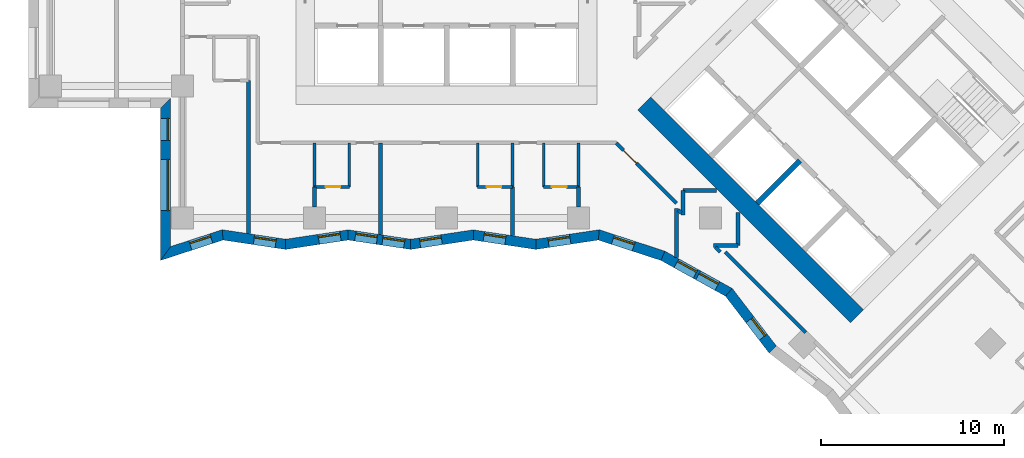
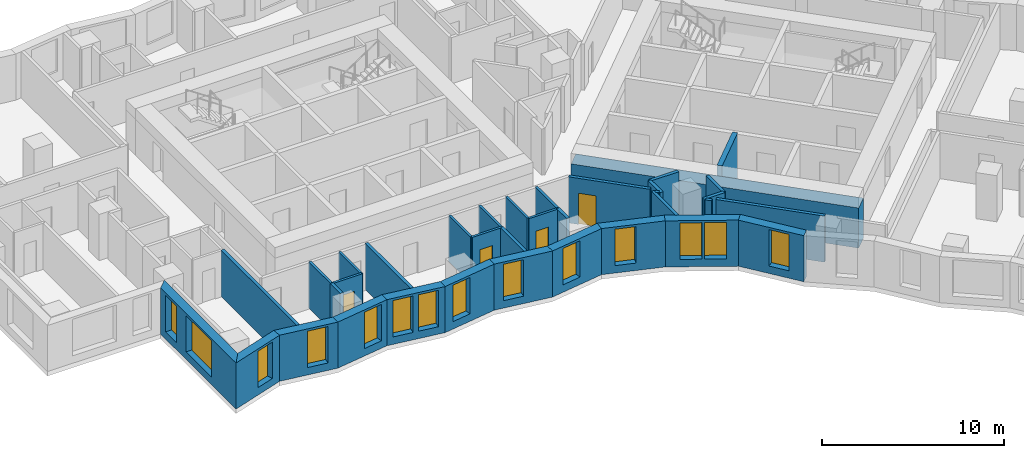
# One storey, part 2 of 12: 36 walls, 14 windows, 4 doors, 18 openings.
"""IFC4 building model written with IfcOpenShell, lengths in metres."""

from ifc_helpers import new_model, si_unit, direction, frame, frame_2d, origin, place, context, subcontext, project, spatial, polyline, rectangle, outline, extrude, material, layer, layer_set, type_object, element, fill, save


model = new_model("IFC4")

# Units and contexts
model_context = context("Model", 3, precision=1e-05, world=origin(), true_north=direction((0.0, 1.0)))
body_context = subcontext(model_context, "Body", "Model", "MODEL_VIEW")
ifc_project = project(units=[si_unit("LENGTHUNIT", "METRE"), si_unit("AREAUNIT", "SQUARE_METRE"), si_unit("VOLUMEUNIT", "CUBIC_METRE"), si_unit("PLANEANGLEUNIT", "RADIAN"), si_unit("MASSUNIT", "GRAM", prefix="KILO")], contexts=[model_context])

# Site, building, storey
site_placement = place(None, origin())
site = spatial("IfcSite", under=ifc_project, at=site_placement, CompositionType="ELEMENT")
building_placement = place(site_placement, origin())
building = spatial("IfcBuilding", under=site, at=building_placement, Name="Windrow Commons", CompositionType="ELEMENT")
storey_placement = place(building_placement, frame((0.0, 0.0, 50.8)))
storey = spatial("IfcBuildingStorey", under=building, at=storey_placement, Name="L13", CompositionType="ELEMENT", Elevation=50.8)

# Wall, openings, windows
ifc_material_1 = material(Name="Brick masonry, red clay brick", Category="masonry")
ifc_layer_1 = layer(ifc_material_1, 0.55)
ifc_layer_set_1 = layer_set([ifc_layer_1], Name="Brick facade wall 550")
wall_type_1 = type_object("IfcWallType", Name="Brick facade wall 550", PredefinedType="SOLIDWALL", material=ifc_layer_set_1)
wall_1_placement = place(storey_placement, frame((49.475, 49.475, 0.0), z_axis=(0.0, 0.0, 1.0), x_axis=(0.0, -1.0, 0.0)))
wall_1 = element("IfcWall", 1, at=wall_1_placement, inside=storey, type_object=wall_type_1, Name="Brick facade wall L13 45", PredefinedType="SOLIDWALL", context=body_context, shape_type="SweptSolid", body=[
    extrude(outline(polyline([(0.275, -0.275), (8.587, -0.275), (7.8293, 0.275), (-0.275, 0.275), (0.275, -0.275)])), origin(), (0.0, 0.0, 1.0), 3.1),
])
opening_1_placement = place(wall_1_placement, frame((3.075, 0.0, 0.5)))
opening_1 = element("IfcOpeningElement", 2, at=opening_1_placement, cuts=wall_1, Name="Opening W1T", PredefinedType="OPENING", context=body_context, shape_type="SweptSolid", body=[
    extrude(rectangle(XDim=2.8, YDim=2.45, at=frame_2d((1.4, 1.225))), frame((0.0, 0.285, 0.0), z_axis=(0.0, -1.0, 0.0), x_axis=(1.0, 0.0, 0.0)), (0.0, 0.0, 1.0), 0.57),
])
opening_2_placement = place(wall_1_placement, frame((0.8375, 0.0, 0.5)))
opening_2 = element("IfcOpeningElement", 3, at=opening_2_placement, cuts=wall_1, Name="Opening W7D", PredefinedType="OPENING", context=body_context, shape_type="SweptSolid", body=[
    extrude(rectangle(XDim=1.2, YDim=2.45, at=frame_2d((0.6, 1.225))), frame((0.0, 0.285, 0.0), z_axis=(0.0, -1.0, 0.0), x_axis=(1.0, 0.0, 0.0)), (0.0, 0.0, 1.0), 0.57),
])
ifc_material_2 = material(Name="Clear float glass in anodised aluminium frame", Category="aluminium")
window_type_1 = type_object("IfcWindowType", Name="Window W1T bedroom 2800x2450", PartitioningType="SINGLE_PANEL", PredefinedType="WINDOW", material=ifc_material_2)
window_1_placement = place(opening_1_placement, origin())
window_1 = element("IfcWindow", 4, at=window_1_placement, inside=storey, type_object=window_type_1, Name="Window L13 45.1", OverallHeight=2.45, OverallWidth=2.8, PartitioningType="SINGLE_PANEL", PredefinedType="WINDOW", context=body_context, shape_type="SweptSolid", body=[
    extrude(rectangle(XDim=2.8, YDim=2.45, at=frame_2d((1.4, 1.225))), frame((0.0, 0.155, 0.0), z_axis=(0.0, -1.0, 0.0), x_axis=(1.0, 0.0, 0.0)), (0.0, 0.0, 1.0), 0.06),
])
fill(opening_1, window_1)
ifc_material_3 = material(Name="Clear float glass in anodised aluminium frame", Category="aluminium")
window_type_2 = type_object("IfcWindowType", Name="Window W7 notch 1200x2450", PartitioningType="SINGLE_PANEL", PredefinedType="WINDOW", material=ifc_material_3)
window_2_placement = place(opening_2_placement, origin())
window_2 = element("IfcWindow", 5, at=window_2_placement, inside=storey, type_object=window_type_2, Name="Window L13 45.2", OverallHeight=2.45, OverallWidth=1.2, PartitioningType="SINGLE_PANEL", PredefinedType="WINDOW", context=body_context, shape_type="SweptSolid", body=[
    extrude(rectangle(XDim=1.2, YDim=2.45, at=frame_2d((0.6, 1.225))), frame((0.0, 0.155, 0.0), z_axis=(0.0, -1.0, 0.0), x_axis=(1.0, 0.0, 0.0)), (0.0, 0.0, 1.0), 0.06),
])
fill(opening_2, window_2)

# Wall, opening, window
wall_2_placement = place(storey_placement, frame((49.475, 41.2669, 0.0), z_axis=(0.0, 0.0, 1.0), x_axis=(0.9507812873, 0.3098627821, 0.0)))
wall_2 = element("IfcWall", 6, at=wall_2_placement, inside=storey, type_object=wall_type_1, Name="Brick facade wall L13 46", PredefinedType="SOLIDWALL", context=body_context, shape_type="SweptSolid", body=[
    extrude(outline(polyline([(-0.3789, -0.275), (3.2097, -0.275), (3.3396, 0.275), (0.3789, 0.275), (-0.3789, -0.275)])), origin(), (0.0, 0.0, 1.0), 3.1),
])
opening_3_placement = place(wall_2_placement, frame((1.4238, 0.0, 0.5)))
opening_3 = element("IfcOpeningElement", 7, at=opening_3_placement, cuts=wall_2, Name="Opening W7D", PredefinedType="OPENING", context=body_context, shape_type="SweptSolid", body=[
    extrude(rectangle(XDim=1.2, YDim=2.45, at=frame_2d((0.6, 1.225))), frame((0.0, 0.285, 0.0), z_axis=(0.0, -1.0, 0.0), x_axis=(1.0, 0.0, 0.0)), (0.0, 0.0, 1.0), 0.57),
])
window_3_placement = place(opening_3_placement, origin())
window_3 = element("IfcWindow", 8, at=window_3_placement, inside=storey, type_object=window_type_2, Name="Window L13 46.1", OverallHeight=2.45, OverallWidth=1.2, PartitioningType="SINGLE_PANEL", PredefinedType="WINDOW", context=body_context, shape_type="SweptSolid", body=[
    extrude(rectangle(XDim=1.2, YDim=2.45, at=frame_2d((0.6, 1.225))), frame((0.0, 0.155, 0.0), z_axis=(0.0, -1.0, 0.0), x_axis=(1.0, 0.0, 0.0)), (0.0, 0.0, 1.0), 0.06),
])
fill(opening_3, window_3)

wall_3_placement = place(storey_placement, frame((52.5885, 42.2816, 0.0), z_axis=(0.0, 0.0, 1.0), x_axis=(0.9889276939, -0.1483981679, 0.0)))
wall_3 = element("IfcWall", 9, at=wall_3_placement, inside=storey, type_object=wall_type_1, Name="Brick facade wall L13 47", PredefinedType="SOLIDWALL", context=body_context, shape_type="SweptSolid", body=[
    extrude(outline(polyline([(0.065, -0.275), (3.5151, -0.275), (3.4326, 0.275), (-0.065, 0.275), (0.065, -0.275)])), origin(), (0.0, 0.0, 1.0), 3.1),
])
opening_4_placement = place(wall_3_placement, frame((1.7299, 0.0, 0.5)))
opening_4 = element("IfcOpeningElement", 10, at=opening_4_placement, cuts=wall_3, Name="Opening W7D", PredefinedType="OPENING", context=body_context, shape_type="SweptSolid", body=[
    extrude(rectangle(XDim=1.2, YDim=2.45, at=frame_2d((0.6, 1.225))), frame((0.0, 0.285, 0.0), z_axis=(0.0, -1.0, 0.0), x_axis=(1.0, 0.0, 0.0)), (0.0, 0.0, 1.0), 0.57),
])
window_4_placement = place(opening_4_placement, origin())
window_4 = element("IfcWindow", 11, at=window_4_placement, inside=storey, type_object=window_type_2, Name="Window L13 47.1", OverallHeight=2.45, OverallWidth=1.2, PartitioningType="SINGLE_PANEL", PredefinedType="WINDOW", context=body_context, shape_type="SweptSolid", body=[
    extrude(rectangle(XDim=1.2, YDim=2.45, at=frame_2d((0.6, 1.225))), frame((0.0, 0.155, 0.0), z_axis=(0.0, -1.0, 0.0), x_axis=(1.0, 0.0, 0.0)), (0.0, 0.0, 1.0), 0.06),
])
fill(opening_4, window_4)

wall_4_placement = place(storey_placement, frame((56.0238, 41.7661, 0.0), z_axis=(0.0, 0.0, 1.0), x_axis=(0.9889272091, 0.1484013984, 0.0)))
wall_4 = element("IfcWall", 12, at=wall_4_placement, inside=storey, type_object=wall_type_1, Name="Brick facade wall L13 48", PredefinedType="SOLIDWALL", context=body_context, shape_type="SweptSolid", body=[
    extrude(outline(polyline([(-0.0413, -0.275), (3.4088, -0.275), (3.4914, 0.275), (0.0413, 0.275), (-0.0413, -0.275)])), origin(), (0.0, 0.0, 1.0), 3.1),
])
opening_5_placement = place(wall_4_placement, frame((1.822, 0.0, 0.5)))
opening_5 = element("IfcOpeningElement", 13, at=opening_5_placement, cuts=wall_4, Name="Opening W7D", PredefinedType="OPENING", context=body_context, shape_type="SweptSolid", body=[
    extrude(rectangle(XDim=1.2, YDim=2.45, at=frame_2d((0.6, 1.225))), frame((0.0, 0.285, 0.0), z_axis=(0.0, -1.0, 0.0), x_axis=(1.0, 0.0, 0.0)), (0.0, 0.0, 1.0), 0.57),
])
window_5_placement = place(opening_5_placement, origin())
window_5 = element("IfcWindow", 14, at=window_5_placement, inside=storey, type_object=window_type_2, Name="Window L13 48.1", OverallHeight=2.45, OverallWidth=1.2, PartitioningType="SINGLE_PANEL", PredefinedType="WINDOW", context=body_context, shape_type="SweptSolid", body=[
    extrude(rectangle(XDim=1.2, YDim=2.45, at=frame_2d((0.6, 1.225))), frame((0.0, 0.155, 0.0), z_axis=(0.0, -1.0, 0.0), x_axis=(1.0, 0.0, 0.0)), (0.0, 0.0, 1.0), 0.06),
])
fill(opening_5, window_5)

# Wall, openings, windows
wall_5_placement = place(storey_placement, frame((59.4357, 42.2781, 0.0), z_axis=(0.0, 0.0, 1.0), x_axis=(0.9889272091, -0.1484013984, 0.0)))
wall_5 = element("IfcWall", 15, at=wall_5_placement, inside=storey, type_object=wall_type_1, Name="Brick facade wall L13 49", PredefinedType="SOLIDWALL", context=body_context, shape_type="SweptSolid", body=[
    extrude(outline(polyline([(0.0413, -0.275), (3.4914, -0.275), (3.4088, 0.275), (-0.0413, 0.275), (0.0413, -0.275)])), origin(), (0.0, 0.0, 1.0), 3.1),
])
opening_6_placement = place(wall_5_placement, frame((0.392, 0.0, 0.5)))
opening_6 = element("IfcOpeningElement", 16, at=opening_6_placement, cuts=wall_5, Name="Opening W7D", PredefinedType="OPENING", context=body_context, shape_type="SweptSolid", body=[
    extrude(rectangle(XDim=1.2, YDim=2.45, at=frame_2d((0.6, 1.225))), frame((0.0, 0.285, 0.0), z_axis=(0.0, -1.0, 0.0), x_axis=(1.0, 0.0, 0.0)), (0.0, 0.0, 1.0), 0.57),
])
opening_7_placement = place(wall_5_placement, frame((1.8964, 0.0, 0.5)))
opening_7 = element("IfcOpeningElement", 17, at=opening_7_placement, cuts=wall_5, Name="Opening W7D", PredefinedType="OPENING", context=body_context, shape_type="SweptSolid", body=[
    extrude(rectangle(XDim=1.2, YDim=2.45, at=frame_2d((0.6, 1.225))), frame((0.0, 0.285, 0.0), z_axis=(0.0, -1.0, 0.0), x_axis=(1.0, 0.0, 0.0)), (0.0, 0.0, 1.0), 0.57),
])
window_6_placement = place(opening_6_placement, origin())
window_6 = element("IfcWindow", 18, at=window_6_placement, inside=storey, type_object=window_type_2, Name="Window L13 49.1", OverallHeight=2.45, OverallWidth=1.2, PartitioningType="SINGLE_PANEL", PredefinedType="WINDOW", context=body_context, shape_type="SweptSolid", body=[
    extrude(rectangle(XDim=1.2, YDim=2.45, at=frame_2d((0.6, 1.225))), frame((0.0, 0.155, 0.0), z_axis=(0.0, -1.0, 0.0), x_axis=(1.0, 0.0, 0.0)), (0.0, 0.0, 1.0), 0.06),
])
fill(opening_6, window_6)
window_7_placement = place(opening_7_placement, origin())
window_7 = element("IfcWindow", 19, at=window_7_placement, inside=storey, type_object=window_type_2, Name="Window L13 49.2", OverallHeight=2.45, OverallWidth=1.2, PartitioningType="SINGLE_PANEL", PredefinedType="WINDOW", context=body_context, shape_type="SweptSolid", body=[
    extrude(rectangle(XDim=1.2, YDim=2.45, at=frame_2d((0.6, 1.225))), frame((0.0, 0.155, 0.0), z_axis=(0.0, -1.0, 0.0), x_axis=(1.0, 0.0, 0.0)), (0.0, 0.0, 1.0), 0.06),
])
fill(opening_7, window_7)

# Wall, opening, window
wall_6_placement = place(storey_placement, frame((62.8476, 41.7661, 0.0), z_axis=(0.0, 0.0, 1.0), x_axis=(0.9889278474, 0.1483971447, 0.0)))
wall_6 = element("IfcWall", 20, at=wall_6_placement, inside=storey, type_object=wall_type_1, Name="Brick facade wall L13 50", PredefinedType="SOLIDWALL", context=body_context, shape_type="SweptSolid", body=[
    extrude(outline(polyline([(-0.0413, -0.275), (3.4088, -0.275), (3.4914, 0.275), (0.0413, 0.275), (-0.0413, -0.275)])), origin(), (0.0, 0.0, 1.0), 3.1),
])
opening_8_placement = place(wall_6_placement, frame((0.5077, 0.0, 0.5)))
opening_8 = element("IfcOpeningElement", 21, at=opening_8_placement, cuts=wall_6, Name="Opening W7D", PredefinedType="OPENING", context=body_context, shape_type="SweptSolid", body=[
    extrude(rectangle(XDim=1.2, YDim=2.45, at=frame_2d((0.6, 1.225))), frame((0.0, 0.285, 0.0), z_axis=(0.0, -1.0, 0.0), x_axis=(1.0, 0.0, 0.0)), (0.0, 0.0, 1.0), 0.57),
])
window_8_placement = place(opening_8_placement, origin())
window_8 = element("IfcWindow", 22, at=window_8_placement, inside=storey, type_object=window_type_2, Name="Window L13 50.1", OverallHeight=2.45, OverallWidth=1.2, PartitioningType="SINGLE_PANEL", PredefinedType="WINDOW", context=body_context, shape_type="SweptSolid", body=[
    extrude(rectangle(XDim=1.2, YDim=2.45, at=frame_2d((0.6, 1.225))), frame((0.0, 0.155, 0.0), z_axis=(0.0, -1.0, 0.0), x_axis=(1.0, 0.0, 0.0)), (0.0, 0.0, 1.0), 0.06),
])
fill(opening_8, window_8)

wall_7_placement = place(storey_placement, frame((66.2596, 42.2781, 0.0), z_axis=(0.0, 0.0, 1.0), x_axis=(0.9889272091, -0.1484013984, 0.0)))
wall_7 = element("IfcWall", 23, at=wall_7_placement, inside=storey, type_object=wall_type_1, Name="Brick facade wall L13 51", PredefinedType="SOLIDWALL", context=body_context, shape_type="SweptSolid", body=[
    extrude(outline(polyline([(0.0413, -0.275), (3.4914, -0.275), (3.4088, 0.275), (-0.0413, 0.275), (0.0413, -0.275)])), origin(), (0.0, 0.0, 1.0), 3.1),
])
opening_9_placement = place(wall_7_placement, frame((0.5822, 0.0, 0.5)))
opening_9 = element("IfcOpeningElement", 24, at=opening_9_placement, cuts=wall_7, Name="Opening W7D", PredefinedType="OPENING", context=body_context, shape_type="SweptSolid", body=[
    extrude(rectangle(XDim=1.2, YDim=2.45, at=frame_2d((0.6, 1.225))), frame((0.0, 0.285, 0.0), z_axis=(0.0, -1.0, 0.0), x_axis=(1.0, 0.0, 0.0)), (0.0, 0.0, 1.0), 0.57),
])
window_9_placement = place(opening_9_placement, origin())
window_9 = element("IfcWindow", 25, at=window_9_placement, inside=storey, type_object=window_type_2, Name="Window L13 51.1", OverallHeight=2.45, OverallWidth=1.2, PartitioningType="SINGLE_PANEL", PredefinedType="WINDOW", context=body_context, shape_type="SweptSolid", body=[
    extrude(rectangle(XDim=1.2, YDim=2.45, at=frame_2d((0.6, 1.225))), frame((0.0, 0.155, 0.0), z_axis=(0.0, -1.0, 0.0), x_axis=(1.0, 0.0, 0.0)), (0.0, 0.0, 1.0), 0.06),
])
fill(opening_9, window_9)

wall_8_placement = place(storey_placement, frame((69.6715, 41.7661, 0.0), z_axis=(0.0, 0.0, 1.0), x_axis=(0.9889276939, 0.1483981679, 0.0)))
wall_8 = element("IfcWall", 26, at=wall_8_placement, inside=storey, type_object=wall_type_1, Name="Brick facade wall L13 52", PredefinedType="SOLIDWALL", context=body_context, shape_type="SweptSolid", body=[
    extrude(outline(polyline([(-0.0413, -0.275), (3.4088, -0.275), (3.5388, 0.275), (0.0413, 0.275), (-0.0413, -0.275)])), origin(), (0.0, 0.0, 1.0), 3.1),
])
opening_10_placement = place(wall_8_placement, frame((0.6979, 0.0, 0.5)))
opening_10 = element("IfcOpeningElement", 27, at=opening_10_placement, cuts=wall_8, Name="Opening W7D", PredefinedType="OPENING", context=body_context, shape_type="SweptSolid", body=[
    extrude(rectangle(XDim=1.2, YDim=2.45, at=frame_2d((0.6, 1.225))), frame((0.0, 0.285, 0.0), z_axis=(0.0, -1.0, 0.0), x_axis=(1.0, 0.0, 0.0)), (0.0, 0.0, 1.0), 0.57),
])
window_10_placement = place(opening_10_placement, origin())
window_10 = element("IfcWindow", 28, at=window_10_placement, inside=storey, type_object=window_type_2, Name="Window L13 52.1", OverallHeight=2.45, OverallWidth=1.2, PartitioningType="SINGLE_PANEL", PredefinedType="WINDOW", context=body_context, shape_type="SweptSolid", body=[
    extrude(rectangle(XDim=1.2, YDim=2.45, at=frame_2d((0.6, 1.225))), frame((0.0, 0.155, 0.0), z_axis=(0.0, -1.0, 0.0), x_axis=(1.0, 0.0, 0.0)), (0.0, 0.0, 1.0), 0.06),
])
fill(opening_10, window_10)

wall_9_placement = place(storey_placement, frame((73.1068, 42.2816, 0.0), z_axis=(0.0, 0.0, 1.0), x_axis=(0.9507763202, -0.3098780227, 0.0)))
wall_9 = element("IfcWall", 29, at=wall_9_placement, inside=storey, type_object=wall_type_1, Name="Brick facade wall L13 53", PredefinedType="SOLIDWALL", context=body_context, shape_type="SweptSolid", body=[
    extrude(outline(polyline([(0.065, -0.275), (3.6535, -0.275), (3.7061, 0.275), (-0.065, 0.275), (0.065, -0.275)])), origin(), (0.0, 0.0, 1.0), 3.1),
])
opening_11_placement = place(wall_9_placement, frame((0.8111, 0.0, 0.5)))
opening_11 = element("IfcOpeningElement", 30, at=opening_11_placement, cuts=wall_9, Name="Opening W7D", PredefinedType="OPENING", context=body_context, shape_type="SweptSolid", body=[
    extrude(rectangle(XDim=1.2, YDim=2.45, at=frame_2d((0.6, 1.225))), frame((0.0, 0.285, 0.0), z_axis=(0.0, -1.0, 0.0), x_axis=(1.0, 0.0, 0.0)), (0.0, 0.0, 1.0), 0.57),
])
window_11_placement = place(opening_11_placement, origin())
window_11 = element("IfcWindow", 31, at=window_11_placement, inside=storey, type_object=window_type_2, Name="Window L13 53.1", OverallHeight=2.45, OverallWidth=1.2, PartitioningType="SINGLE_PANEL", PredefinedType="WINDOW", context=body_context, shape_type="SweptSolid", body=[
    extrude(rectangle(XDim=1.2, YDim=2.45, at=frame_2d((0.6, 1.225))), frame((0.0, 0.155, 0.0), z_axis=(0.0, -1.0, 0.0), x_axis=(1.0, 0.0, 0.0)), (0.0, 0.0, 1.0), 0.06),
])
fill(opening_11, window_11)

# Wall, openings, windows
wall_10_placement = place(storey_placement, frame((76.6055, 41.1413, 0.0), z_axis=(0.0, 0.0, 1.0), x_axis=(0.874845907, -0.4844013201, 0.0)))
wall_10 = element("IfcWall", 32, at=wall_10_placement, inside=storey, type_object=wall_type_1, Name="Brick facade wall L13 54", PredefinedType="SOLIDWALL", context=body_context, shape_type="SweptSolid", body=[
    extrude(outline(polyline([(0.0263, -0.275), (4.0541, -0.275), (4.1688, 0.275), (-0.0263, 0.275), (0.0263, -0.275)])), origin(), (0.0, 0.0, 1.0), 3.1),
])
opening_12_placement = place(wall_10_placement, frame((0.8397, 0.0, 0.5)))
opening_12 = element("IfcOpeningElement", 33, at=opening_12_placement, cuts=wall_10, Name="Opening W7D", PredefinedType="OPENING", context=body_context, shape_type="SweptSolid", body=[
    extrude(rectangle(XDim=1.2, YDim=2.45, at=frame_2d((0.6, 1.225))), frame((0.0, 0.285, 0.0), z_axis=(0.0, -1.0, 0.0), x_axis=(1.0, 0.0, 0.0)), (0.0, 0.0, 1.0), 0.57),
])
opening_13_placement = place(wall_10_placement, frame((2.1955, 0.0, 0.5)))
opening_13 = element("IfcOpeningElement", 34, at=opening_13_placement, cuts=wall_10, Name="Opening W7D", PredefinedType="OPENING", context=body_context, shape_type="SweptSolid", body=[
    extrude(rectangle(XDim=1.2, YDim=2.45, at=frame_2d((0.6, 1.225))), frame((0.0, 0.285, 0.0), z_axis=(0.0, -1.0, 0.0), x_axis=(1.0, 0.0, 0.0)), (0.0, 0.0, 1.0), 0.57),
])
window_12_placement = place(opening_12_placement, origin())
window_12 = element("IfcWindow", 35, at=window_12_placement, inside=storey, type_object=window_type_2, Name="Window L13 54.1", OverallHeight=2.45, OverallWidth=1.2, PartitioningType="SINGLE_PANEL", PredefinedType="WINDOW", context=body_context, shape_type="SweptSolid", body=[
    extrude(rectangle(XDim=1.2, YDim=2.45, at=frame_2d((0.6, 1.225))), frame((0.0, 0.155, 0.0), z_axis=(0.0, -1.0, 0.0), x_axis=(1.0, 0.0, 0.0)), (0.0, 0.0, 1.0), 0.06),
])
fill(opening_12, window_12)
window_13_placement = place(opening_13_placement, origin())
window_13 = element("IfcWindow", 36, at=window_13_placement, inside=storey, type_object=window_type_2, Name="Window L13 54.2", OverallHeight=2.45, OverallWidth=1.2, PartitioningType="SINGLE_PANEL", PredefinedType="WINDOW", context=body_context, shape_type="SweptSolid", body=[
    extrude(rectangle(XDim=1.2, YDim=2.45, at=frame_2d((0.6, 1.225))), frame((0.0, 0.155, 0.0), z_axis=(0.0, -1.0, 0.0), x_axis=(1.0, 0.0, 0.0)), (0.0, 0.0, 1.0), 0.06),
])
fill(opening_13, window_13)

# Wall, opening, window
wall_11_placement = place(storey_placement, frame((80.2024, 39.1497, 0.0), z_axis=(0.0, 0.0, 1.0), x_axis=(0.6082855489, -0.7937182693, 0.0)))
wall_11 = element("IfcWall", 37, at=wall_11_placement, inside=storey, type_object=wall_type_1, Name="Brick facade wall L13 55", PredefinedType="SOLIDWALL", context=body_context, shape_type="SweptSolid", body=[
    extrude(outline(polyline([(0.0574, -0.275), (3.9624, -0.275), (3.8896, 0.275), (-0.0574, 0.275), (0.0574, -0.275)])), origin(), (0.0, 0.0, 1.0), 3.1),
])
opening_14_placement = place(wall_11_placement, frame((1.8816, 0.0, 0.5)))
opening_14 = element("IfcOpeningElement", 38, at=opening_14_placement, cuts=wall_11, Name="Opening W7D", PredefinedType="OPENING", context=body_context, shape_type="SweptSolid", body=[
    extrude(rectangle(XDim=1.2, YDim=2.45, at=frame_2d((0.6, 1.225))), frame((0.0, 0.285, 0.0), z_axis=(0.0, -1.0, 0.0), x_axis=(1.0, 0.0, 0.0)), (0.0, 0.0, 1.0), 0.57),
])
window_14_placement = place(opening_14_placement, origin())
window_14 = element("IfcWindow", 39, at=window_14_placement, inside=storey, type_object=window_type_2, Name="Window L13 55.1", OverallHeight=2.45, OverallWidth=1.2, PartitioningType="SINGLE_PANEL", PredefinedType="WINDOW", context=body_context, shape_type="SweptSolid", body=[
    extrude(rectangle(XDim=1.2, YDim=2.45, at=frame_2d((0.6, 1.225))), frame((0.0, 0.155, 0.0), z_axis=(0.0, -1.0, 0.0), x_axis=(1.0, 0.0, 0.0)), (0.0, 0.0, 1.0), 0.06),
])
fill(opening_14, window_14)

# Wall
ifc_material_4 = material(Name="Blockwork partition", Category="masonry")
ifc_layer_2 = layer(ifc_material_4, 0.2)
ifc_layer_set_2 = layer_set([ifc_layer_2], Name="IW-CORRIDOR-200")
wall_type_2 = type_object("IfcWallType", Name="IW-CORRIDOR-200", PredefinedType="PARTITIONING", material=ifc_layer_set_2)
wall_12_placement = place(storey_placement, frame((80.0068, 41.3468, 0.0), z_axis=(0.0, 0.0, 1.0), x_axis=(0.7071067812, -0.7071067812, 0.0)))
element("IfcWall", 40, at=wall_12_placement, inside=storey, type_object=wall_type_2, Name="W-L13-W025", PredefinedType="PARTITIONING", context=body_context, shape_type="SweptSolid", body=[
    extrude(rectangle(XDim=6.2056, YDim=0.2, at=frame_2d((3.1028, 0.0))), origin(), (0.0, 0.0, 1.0), 3.1),
])

# Wall, opening, door
wall_13_placement = place(storey_placement, frame((74.0568, 47.2968, 0.0), z_axis=(0.0, 0.0, 1.0), x_axis=(0.7071067812, -0.7071067812, 0.0)))
wall_13 = element("IfcWall", 41, at=wall_13_placement, inside=storey, type_object=wall_type_2, Name="W-L13-W042", PredefinedType="PARTITIONING", context=body_context, shape_type="SweptSolid", body=[
    extrude(rectangle(XDim=4.6528, YDim=0.2, at=frame_2d((2.3264, 0.0))), origin(), (0.0, 0.0, 1.0), 3.1),
])
opening_15_placement = place(wall_13_placement, frame((0.5704, 0.0, 0.0)))
opening_15 = element("IfcOpeningElement", 42, at=opening_15_placement, cuts=wall_13, Name="Opening D310F", PredefinedType="OPENING", context=body_context, shape_type="SweptSolid", body=[
    extrude(rectangle(XDim=1.0, YDim=2.1, at=frame_2d((0.5, 1.05))), frame((0.0, 0.11, 0.0), z_axis=(0.0, -1.0, 0.0), x_axis=(1.0, 0.0, 0.0)), (0.0, 0.0, 1.0), 0.22),
])
ifc_material_5 = material(Name="Timber door leaf", Category="wood")
door_type_1 = type_object("IfcDoorType", Name="DT-AMENITY-1000", OperationType="SINGLE_SWING_LEFT", PredefinedType="DOOR", material=ifc_material_5)
door_1_placement = place(opening_15_placement, origin())
door_1 = element("IfcDoor", 43, at=door_1_placement, inside=storey, type_object=door_type_1, Name="D-L13-D031", OperationType="SINGLE_SWING_LEFT", OverallHeight=2.1, OverallWidth=1.0, PredefinedType="DOOR", context=body_context, shape_type="SweptSolid", body=[
    extrude(rectangle(XDim=1.0, YDim=2.1, at=frame_2d((0.5, 1.05))), frame((0.0, 0.025, 0.0), z_axis=(0.0, -1.0, 0.0), x_axis=(1.0, 0.0, 0.0)), (0.0, 0.0, 1.0), 0.05),
])
fill(opening_15, door_1)

# Walls
for number, where, z_axis, x_axis, name in (
    (44, (77.702, 44.7, 0.0), (0.0, 0.0, 1.0), (1.0, 0.0, 0.0), "W-L13-W125"),
    (45, (80.7, 41.702, 0.0), (0.0, 0.0, 1.0), (0.0, 1.0, 0.0), "W-L13-W126"),
):
    element("IfcWall", number, at=place(storey_placement, frame(where, z_axis=z_axis, x_axis=x_axis)), inside=storey, type_object=wall_type_2, Name=name, PredefinedType="PARTITIONING", context=body_context, shape_type="SweptSolid", body=[
        extrude(rectangle(XDim=1.814, YDim=0.2, at=frame_2d((0.907, 0.0))), origin(), (0.0, 0.0, 1.0), 3.1),
    ])
for number, where, z_axis, x_axis, name in (
    (46, (77.7, 43.378, 0.0), (0.0, 0.0, 1.0), (0.0, 1.0, 0.0), "W-L13-W139"),
    (47, (79.378, 41.7, 0.0), (0.0, 0.0, 1.0), (1.0, 0.0, 0.0), "W-L13-W140"),
):
    element("IfcWall", number, at=place(storey_placement, frame(where, z_axis=z_axis, x_axis=x_axis)), inside=storey, type_object=wall_type_2, Name=name, PredefinedType="PARTITIONING", context=body_context, shape_type="SweptSolid", body=[
        extrude(rectangle(XDim=1.322, YDim=0.2, at=frame_2d((0.661, 0.0))), origin(), (0.0, 0.0, 1.0), 3.1),
    ])
wall_14_placement = place(storey_placement, frame((77.4454, 43.6396, 0.0), z_axis=(0.0, 0.0, 1.0), x_axis=(0.7071067812, -0.7071067812, 0.0)))
element("IfcWall", 48, at=wall_14_placement, inside=storey, type_object=wall_type_2, Name="W-L13-W157", PredefinedType="PARTITIONING", context=body_context, shape_type="SweptSolid", body=[
    extrude(rectangle(XDim=0.225, YDim=0.2, at=frame_2d((0.1125, 0.0))), origin(), (0.0, 0.0, 1.0), 3.1),
])
wall_15_placement = place(storey_placement, frame((79.4805, 41.6045, 0.0), z_axis=(0.0, 0.0, 1.0), x_axis=(0.7071067812, -0.7071067812, 0.0)))
element("IfcWall", 49, at=wall_15_placement, inside=storey, type_object=wall_type_2, Name="W-L13-W158", PredefinedType="PARTITIONING", context=body_context, shape_type="SweptSolid", body=[
    extrude(rectangle(XDim=0.355, YDim=0.2, at=frame_2d((0.1775, 0.0))), origin(), (0.0, 0.0, 1.0), 3.1),
])
ifc_material_6 = material(Name="Blockwork partition", Category="masonry")
ifc_layer_3 = layer(ifc_material_6, 0.15)
ifc_layer_set_3 = layer_set([ifc_layer_3], Name="IW-ENSUITE-150")
wall_type_3 = type_object("IfcWallType", Name="IW-ENSUITE-150", PredefinedType="PARTITIONING", material=ifc_layer_set_3)
for number, where, z_axis, x_axis, name in (
    (50, (59.5, 44.9, 0.0), (0.0, 0.0, 1.0), (0.0, 1.0, 0.0), "W-L13-W074"),
    (51, (57.6, 44.9, 0.0), (0.0, 0.0, 1.0), (0.0, 1.0, 0.0), "W-L13-W075"),
    (52, (66.5, 44.9, 0.0), (0.0, 0.0, 1.0), (0.0, 1.0, 0.0), "W-L13-W076"),
    (53, (68.4, 44.9, 0.0), (0.0, 0.0, 1.0), (0.0, 1.0, 0.0), "W-L13-W077"),
    (54, (70.1, 44.9, 0.0), (0.0, 0.0, 1.0), (0.0, 1.0, 0.0), "W-L13-W078"),
    (55, (72.0, 44.9, 0.0), (0.0, 0.0, 1.0), (0.0, 1.0, 0.0), "W-L13-W079"),
):
    element("IfcWall", number, at=place(storey_placement, frame(where, z_axis=z_axis, x_axis=x_axis)), inside=storey, type_object=wall_type_3, Name=name, PredefinedType="PARTITIONING", context=body_context, shape_type="SweptSolid", body=[
        extrude(rectangle(XDim=2.4, YDim=0.15, at=frame_2d((1.2, 0.0))), origin(), (0.0, 0.0, 1.0), 3.1),
    ])

# Wall, opening, door
wall_16_placement = place(storey_placement, frame((66.5, 44.9, 0.0), z_axis=(0.0, 0.0, 1.0), x_axis=(1.0, 0.0, 0.0)))
wall_16 = element("IfcWall", 56, at=wall_16_placement, inside=storey, type_object=wall_type_3, Name="W-L13-W109", PredefinedType="PARTITIONING", context=body_context, shape_type="SweptSolid", body=[
    extrude(rectangle(XDim=1.9, YDim=0.15, at=frame_2d((0.95, 0.0))), origin(), (0.0, 0.0, 1.0), 3.1),
])
opening_16_placement = place(wall_16_placement, frame((0.4931, 0.0, 0.0)))
opening_16 = element("IfcOpeningElement", 57, at=opening_16_placement, cuts=wall_16, Name="Opening D208N", PredefinedType="OPENING", context=body_context, shape_type="SweptSolid", body=[
    extrude(rectangle(XDim=0.8, YDim=2.1, at=frame_2d((0.4, 1.05))), frame((0.0, 0.085, 0.0), z_axis=(0.0, -1.0, 0.0), x_axis=(1.0, 0.0, 0.0)), (0.0, 0.0, 1.0), 0.17),
])
ifc_material_7 = material(Name="Timber door leaf", Category="wood")
door_type_2 = type_object("IfcDoorType", Name="DT-ENSUITE-800", OperationType="SINGLE_SWING_LEFT", PredefinedType="DOOR", material=ifc_material_7)
door_2_placement = place(opening_16_placement, origin())
door_2 = element("IfcDoor", 58, at=door_2_placement, inside=storey, type_object=door_type_2, Name="D-L13-D028", OperationType="SINGLE_SWING_RIGHT", OverallHeight=2.1, OverallWidth=0.8, PredefinedType="DOOR", context=body_context, shape_type="SweptSolid", body=[
    extrude(rectangle(XDim=0.8, YDim=2.1, at=frame_2d((0.4, 1.05))), frame((0.0, 0.025, 0.0), z_axis=(0.0, -1.0, 0.0), x_axis=(1.0, 0.0, 0.0)), (0.0, 0.0, 1.0), 0.05),
])
fill(opening_16, door_2)

wall_17_placement = place(storey_placement, frame((70.1, 44.9, 0.0), z_axis=(0.0, 0.0, 1.0), x_axis=(1.0, 0.0, 0.0)))
wall_17 = element("IfcWall", 59, at=wall_17_placement, inside=storey, type_object=wall_type_3, Name="W-L13-W110", PredefinedType="PARTITIONING", context=body_context, shape_type="SweptSolid", body=[
    extrude(rectangle(XDim=1.9, YDim=0.15, at=frame_2d((0.95, 0.0))), origin(), (0.0, 0.0, 1.0), 3.1),
])
opening_17_placement = place(wall_17_placement, frame((0.4476, 0.0, 0.0)))
opening_17 = element("IfcOpeningElement", 60, at=opening_17_placement, cuts=wall_17, Name="Opening D208N", PredefinedType="OPENING", context=body_context, shape_type="SweptSolid", body=[
    extrude(rectangle(XDim=0.8, YDim=2.1, at=frame_2d((0.4, 1.05))), frame((0.0, 0.085, 0.0), z_axis=(0.0, -1.0, 0.0), x_axis=(1.0, 0.0, 0.0)), (0.0, 0.0, 1.0), 0.17),
])
door_3_placement = place(opening_17_placement, origin())
door_3 = element("IfcDoor", 61, at=door_3_placement, inside=storey, type_object=door_type_2, Name="D-L13-D030", OperationType="SINGLE_SWING_RIGHT", OverallHeight=2.1, OverallWidth=0.8, PredefinedType="DOOR", context=body_context, shape_type="SweptSolid", body=[
    extrude(rectangle(XDim=0.8, YDim=2.1, at=frame_2d((0.4, 1.05))), frame((0.0, 0.025, 0.0), z_axis=(0.0, -1.0, 0.0), x_axis=(1.0, 0.0, 0.0)), (0.0, 0.0, 1.0), 0.05),
])
fill(opening_17, door_3)

wall_18_placement = place(storey_placement, frame((57.6, 44.9, 0.0), z_axis=(0.0, 0.0, 1.0), x_axis=(1.0, 0.0, 0.0)))
wall_18 = element("IfcWall", 62, at=wall_18_placement, inside=storey, type_object=wall_type_3, Name="W-L13-W114", PredefinedType="PARTITIONING", context=body_context, shape_type="SweptSolid", body=[
    extrude(rectangle(XDim=1.9, YDim=0.15, at=frame_2d((0.95, 0.0))), origin(), (0.0, 0.0, 1.0), 3.1),
])
opening_18_placement = place(wall_18_placement, frame((0.6069, 0.0, 0.0)))
opening_18 = element("IfcOpeningElement", 63, at=opening_18_placement, cuts=wall_18, Name="Opening D208N", PredefinedType="OPENING", context=body_context, shape_type="SweptSolid", body=[
    extrude(rectangle(XDim=0.8, YDim=2.1, at=frame_2d((0.4, 1.05))), frame((0.0, 0.085, 0.0), z_axis=(0.0, -1.0, 0.0), x_axis=(1.0, 0.0, 0.0)), (0.0, 0.0, 1.0), 0.17),
])
door_4_placement = place(opening_18_placement, origin())
door_4 = element("IfcDoor", 64, at=door_4_placement, inside=storey, type_object=door_type_2, Name="D-L13-D026", OperationType="SINGLE_SWING_RIGHT", OverallHeight=2.1, OverallWidth=0.8, PredefinedType="DOOR", context=body_context, shape_type="SweptSolid", body=[
    extrude(rectangle(XDim=0.8, YDim=2.1, at=frame_2d((0.4, 1.05))), frame((0.0, 0.025, 0.0), z_axis=(0.0, -1.0, 0.0), x_axis=(1.0, 0.0, 0.0)), (0.0, 0.0, 1.0), 0.05),
])
fill(opening_18, door_4)

# Walls
ifc_material_8 = material(Name="Blockwork partition", Category="masonry")
ifc_layer_4 = layer(ifc_material_8, 0.2)
ifc_layer_set_4 = layer_set([ifc_layer_4], Name="IW-PARTY-200")
wall_type_4 = type_object("IfcWallType", Name="IW-PARTY-200", PredefinedType="PARTITIONING", material=ifc_layer_set_4)
wall_19_placement = place(storey_placement, frame((54.0, 42.3479, 0.0), z_axis=(0.0, 0.0, 1.0), x_axis=(0.0, 1.0, 0.0)))
element("IfcWall", 65, at=wall_19_placement, inside=storey, type_object=wall_type_4, Name="W-L13-W016", PredefinedType="PARTITIONING", context=body_context, shape_type="SweptSolid", body=[
    extrude(rectangle(XDim=8.3521, YDim=0.2, at=frame_2d((4.1761, 0.0))), origin(), (0.0, 0.0, 1.0), 3.1),
])
wall_20_placement = place(storey_placement, frame((61.2, 42.2914, 0.0), z_axis=(0.0, 0.0, 1.0), x_axis=(0.0, 1.0, 0.0)))
element("IfcWall", 66, at=wall_20_placement, inside=storey, type_object=wall_type_4, Name="W-L13-W040", PredefinedType="PARTITIONING", context=body_context, shape_type="SweptSolid", body=[
    extrude(rectangle(XDim=5.0086, YDim=0.2, at=frame_2d((2.5043, 0.0))), origin(), (0.0, 0.0, 1.0), 3.1),
])
wall_21_placement = place(storey_placement, frame((77.35, 41.0434, 0.0), z_axis=(0.0, 0.0, 1.0), x_axis=(0.0, 1.0, 0.0)))
element("IfcWall", 67, at=wall_21_placement, inside=storey, type_object=wall_type_4, Name="W-L13-W060", PredefinedType="PARTITIONING", context=body_context, shape_type="SweptSolid", body=[
    extrude(rectangle(XDim=2.6846, YDim=0.2, at=frame_2d((1.3423, 0.0))), origin(), (0.0, 0.0, 1.0), 3.1),
])
wall_22_placement = place(storey_placement, frame((68.4, 42.235, 0.0), z_axis=(0.0, 0.0, 1.0), x_axis=(0.0, 1.0, 0.0)))
element("IfcWall", 68, at=wall_22_placement, inside=storey, type_object=wall_type_4, Name="W-L13-W061", PredefinedType="PARTITIONING", context=body_context, shape_type="SweptSolid", body=[
    extrude(rectangle(XDim=2.665, YDim=0.2, at=frame_2d((1.3325, 0.0))), origin(), (0.0, 0.0, 1.0), 3.1),
])
for number, where, z_axis, x_axis, name in (
    (69, (57.6, 43.8, 0.0), (0.0, 0.0, 1.0), (0.0, 1.0, 0.0), "W-L13-W148"),
    (70, (72.0, 43.8, 0.0), (0.0, 0.0, 1.0), (0.0, 1.0, 0.0), "W-L13-W149"),
):
    element("IfcWall", number, at=place(storey_placement, frame(where, z_axis=z_axis, x_axis=x_axis)), inside=storey, type_object=wall_type_4, Name=name, PredefinedType="PARTITIONING", context=body_context, shape_type="SweptSolid", body=[
        extrude(rectangle(XDim=1.1, YDim=0.2, at=frame_2d((0.55, 0.0))), origin(), (0.0, 0.0, 1.0), 3.1),
    ])
ifc_material_9 = material(Name="Concrete C60/75", Category="concrete")
ifc_layer_5 = layer(ifc_material_9, 1.0)
ifc_layer_set_5 = layer_set([ifc_layer_5], Name="RC CORE WALL 1000 C60/75")
wall_type_5 = type_object("IfcWallType", Name="RC CORE WALL 1000 C60/75", PredefinedType="SHEAR", material=ifc_layer_set_5)
wall_23_placement = place(storey_placement, frame((75.5938, 49.4433, -0.3), z_axis=(0.0, 0.0, 1.0), x_axis=(0.7071037324, -0.70710983, 0.0)))
element("IfcWall", 71, at=wall_23_placement, inside=storey, type_object=wall_type_5, Name="Core B wall outer-S", PredefinedType="SHEAR", context=body_context, shape_type="SweptSolid", body=[
    extrude(rectangle(XDim=16.4, YDim=1.0, at=frame_2d((8.2, 0.0))), origin(), (0.0, 0.0, 1.0), 2.7),
])
ifc_material_10 = material(Name="Concrete C60/75", Category="concrete")
ifc_layer_6 = layer(ifc_material_10, 0.3)
ifc_layer_set_6 = layer_set([ifc_layer_6], Name="RC SHAFT WALL 300 C60/75")
wall_type_6 = type_object("IfcWallType", Name="RC SHAFT WALL 300 C60/75", PredefinedType="SOLIDWALL", material=ifc_layer_set_6)
wall_24_placement = place(storey_placement, frame((81.7456, 43.9986, 0.0), z_axis=(0.0, 0.0, 1.0), x_axis=(0.7071067812, 0.7071067812, 0.0)))
element("IfcWall", 72, at=wall_24_placement, inside=storey, type_object=wall_type_6, Name="Core B wall shaft-S2", PredefinedType="SOLIDWALL", context=body_context, shape_type="SweptSolid", body=[
    extrude(rectangle(XDim=3.2999, YDim=0.3, at=frame_2d((1.65, 0.0))), origin(), (0.0, 0.0, 1.0), 3.1),
])

save(model, "model.ifc")
